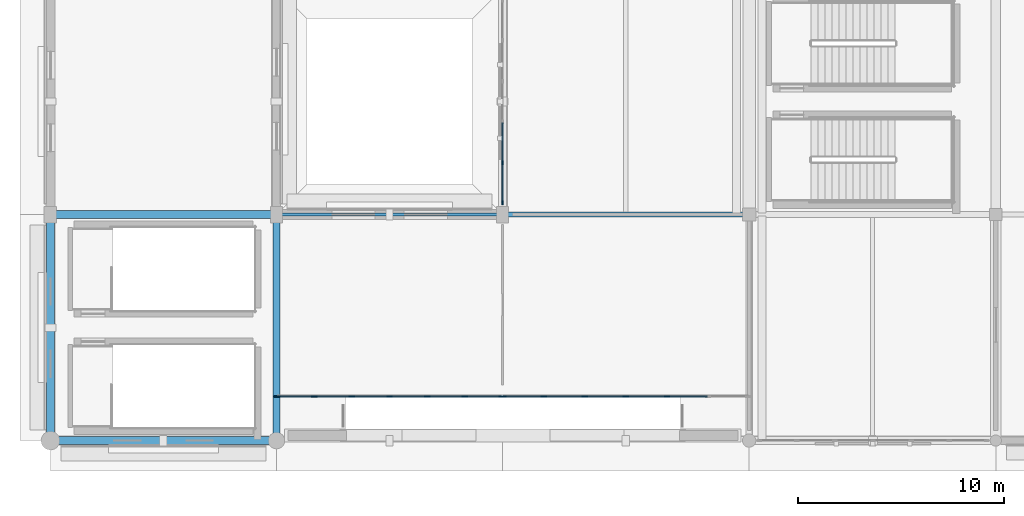
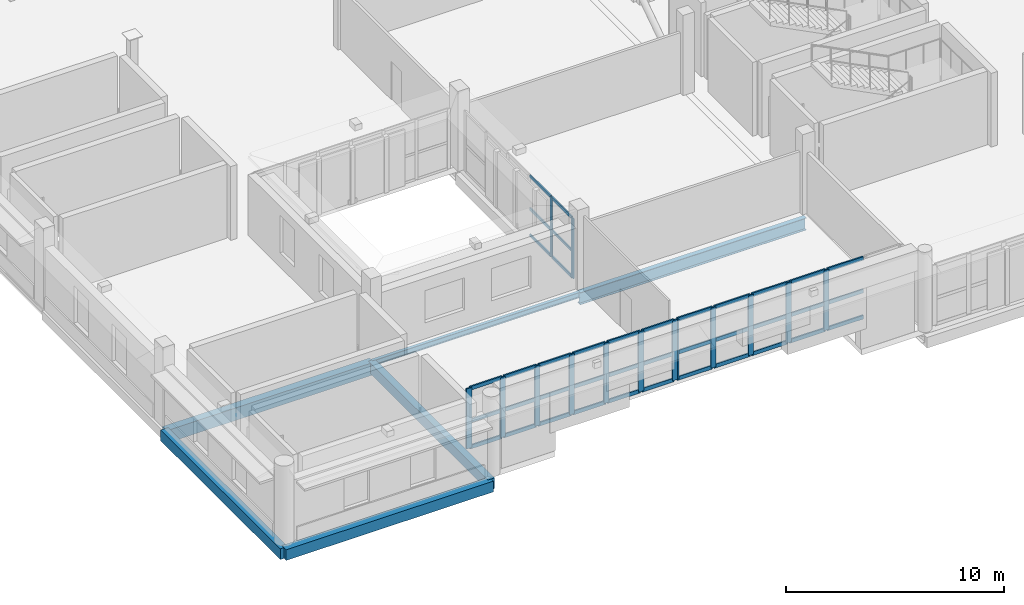
# One storey, part 24 of 118: 53 members, 6 beams, 3 elements without a shape of their own.
"""IFC4 building model written with IfcOpenShell, lengths in metres."""

from ifc_helpers import new_model, si_unit, direction, frame, origin, origin_2d, place, context, subcontext, project, spatial, rectangle, i_section, extrude, material, material_profile, profile_set, type_object, element, aggregate, save


model = new_model("IFC4")

# Units and contexts
model_context = context("Model", 3, precision=1e-05, world=origin(), true_north=direction((0.0, 1.0)))
body_context = subcontext(model_context, "Body", "Model", "MODEL_VIEW")
ifc_project = project(units=[si_unit("LENGTHUNIT", "METRE"), si_unit("AREAUNIT", "SQUARE_METRE"), si_unit("VOLUMEUNIT", "CUBIC_METRE"), si_unit("PLANEANGLEUNIT", "RADIAN"), si_unit("MASSUNIT", "GRAM", prefix="KILO")], contexts=[model_context])

# Site, building, storey
site_placement = place(None, origin())
site = spatial("IfcSite", under=ifc_project, at=site_placement, CompositionType="ELEMENT")
building_placement = place(site_placement, origin())
building = spatial("IfcBuilding", under=site, at=building_placement, Name="Luwafu Chhajja Arena", CompositionType="ELEMENT")
storey_placement = place(building_placement, frame((0.0, 0.0, 10.199951171875)))
storey = spatial("IfcBuildingStorey", under=building, at=storey_placement, Name="L02", CompositionType="ELEMENT", Elevation=10.199951171875)

# Beam
ifc_material_1 = material(Name="Concrete C35/45", Category="concrete")
ifc_material_profile_1 = material_profile(ifc_material_1, rectangle(XDim=0.35009765625, YDim=0.60009765625, at=origin_2d()), Name="RC 350x600")
ifc_profile_set_1 = profile_set([ifc_material_profile_1], Name="Concrete C35/45")
beam_type_1 = type_object("IfcBeamType", Name="Arcade Tie Beam RC 350x600", PredefinedType="BEAM", material=ifc_profile_set_1)
beam_1_placement = place(storey_placement, frame((11.0, 0.0, -0.68994140625), z_axis=(0.0, 1.0, 0.0), x_axis=(-1.0, 0.0, 0.0)))
element("IfcBeam", 1, at=beam_1_placement, inside=storey, type_object=beam_type_1, Name="L02 Grid Beam 2/A-B", PredefinedType="BEAM", context=body_context, shape_type="SweptSolid", body=[
    extrude(rectangle(XDim=0.35009765625, YDim=0.60009765625, at=origin_2d()), origin(), (0.0, 0.0, 1.0), 11.0),
])

# Curtain wall, members
ifc_material_2 = material(Name="Anodised bronze aluminium", Category="aluminium")
curtain_wall_type_1 = type_object("IfcCurtainWallType", Name="Hospitality Ring Curtain Wall", PredefinedType="USERDEFINED", material=ifc_material_2)
curtain_wall_1_placement = place(storey_placement, origin())
curtain_wall_1 = element("IfcCurtainWall", 2, at=curtain_wall_1_placement, inside=storey, type_object=curtain_wall_type_1, Name="L02 Curtain Wall CWG-L02-V02_01", ObjectType="CURTAIN WALL", PredefinedType="USERDEFINED")
ifc_material_profile_2 = material_profile(ifc_material_2, rectangle(XDim=0.06494140625, YDim=0.199951171875, at=origin_2d()), Name="CWM 65x200")
ifc_profile_set_2 = profile_set([ifc_material_profile_2], Name="Anodised bronze aluminium")
member_type_1 = type_object("IfcMemberType", Name="Bronze Curtain Wall Mullion 65x200", PredefinedType="MULLION", material=ifc_profile_set_2)
member_1_placement = place(storey_placement, frame((22.0, 11.572509765625, 0.030029296875), z_axis=(0.0, 0.0, 1.0), x_axis=(-1.0, 0.0, 0.0)))
member_1 = element("IfcMember", 3, at=member_1_placement, type_object=member_type_1, Name="CW-02 mullion 1", PredefinedType="MULLION", context=body_context, shape_type="SweptSolid", body=[
    extrude(rectangle(XDim=0.06494140625, YDim=0.199951171875, at=origin_2d()), origin(), (0.0, 0.0, 1.0), 3.375),
])
member_2_placement = place(storey_placement, frame((22.0, 13.52392578125, 0.030029296875), z_axis=(0.0, 0.0, 1.0), x_axis=(-1.0, 0.0, 0.0)))
member_2 = element("IfcMember", 4, at=member_2_placement, type_object=member_type_1, Name="CW-02 mullion 2", PredefinedType="MULLION", context=body_context, shape_type="SweptSolid", body=[
    extrude(rectangle(XDim=0.06494140625, YDim=0.199951171875, at=origin_2d()), origin(), (0.0, 0.0, 1.0), 3.375),
])
ifc_material_profile_3 = material_profile(ifc_material_2, rectangle(XDim=0.06494140625, YDim=0.14990234375, at=origin_2d()), Name="CWT 65x150")
ifc_profile_set_3 = profile_set([ifc_material_profile_3], Name="Anodised bronze aluminium")
member_type_2 = type_object("IfcMemberType", Name="Bronze Curtain Wall Transom 65x150", PredefinedType="USERDEFINED", material=ifc_profile_set_3)
member_3_placement = place(storey_placement, frame((22.0, 11.60498046875, 0.0625), z_axis=(0.0, 1.0, 0.0), x_axis=(-1.0, 0.0, 0.0)))
member_3 = element("IfcMember", 5, at=member_3_placement, type_object=member_type_2, Name="CW-02 transom 1.1", ObjectType="TRANSOM", PredefinedType="USERDEFINED", context=body_context, shape_type="SweptSolid", body=[
    extrude(rectangle(XDim=0.06494140625, YDim=0.14990234375, at=origin_2d()), origin(), (0.0, 0.0, 1.0), 1.886474609375),
])
member_4_placement = place(storey_placement, frame((22.0, 11.60498046875, 1.532470703125), z_axis=(0.0, 1.0, 0.0), x_axis=(-1.0, 0.0, 0.0)))
member_4 = element("IfcMember", 6, at=member_4_placement, type_object=member_type_2, Name="CW-02 transom 1.2", ObjectType="TRANSOM", PredefinedType="USERDEFINED", context=body_context, shape_type="SweptSolid", body=[
    extrude(rectangle(XDim=0.06494140625, YDim=0.14990234375, at=origin_2d()), origin(), (0.0, 0.0, 1.0), 1.886474609375),
])
member_5_placement = place(storey_placement, frame((22.0, 11.60498046875, 3.37255859375), z_axis=(0.0, 1.0, 0.0), x_axis=(-1.0, 0.0, 0.0)))
member_5 = element("IfcMember", 7, at=member_5_placement, type_object=member_type_2, Name="CW-02 transom 1.3", ObjectType="TRANSOM", PredefinedType="USERDEFINED", context=body_context, shape_type="SweptSolid", body=[
    extrude(rectangle(XDim=0.06494140625, YDim=0.14990234375, at=origin_2d()), origin(), (0.0, 0.0, 1.0), 1.886474609375),
])
member_6_placement = place(storey_placement, frame((22.0, 13.556396484375, 0.0625), z_axis=(0.0, 1.0, 0.0), x_axis=(-1.0, 0.0, 0.0)))
member_6 = element("IfcMember", 8, at=member_6_placement, type_object=member_type_2, Name="CW-02 transom 2.1", ObjectType="TRANSOM", PredefinedType="USERDEFINED", context=body_context, shape_type="SweptSolid", body=[
    extrude(rectangle(XDim=0.06494140625, YDim=0.14990234375, at=origin_2d()), origin(), (0.0, 0.0, 1.0), 1.919189453125),
])
member_7_placement = place(storey_placement, frame((22.0, 13.556396484375, 1.532470703125), z_axis=(0.0, 1.0, 0.0), x_axis=(-1.0, 0.0, 0.0)))
member_7 = element("IfcMember", 9, at=member_7_placement, type_object=member_type_2, Name="CW-02 transom 2.2", ObjectType="TRANSOM", PredefinedType="USERDEFINED", context=body_context, shape_type="SweptSolid", body=[
    extrude(rectangle(XDim=0.06494140625, YDim=0.14990234375, at=origin_2d()), origin(), (0.0, 0.0, 1.0), 1.919189453125),
])
member_8_placement = place(storey_placement, frame((22.0, 13.556396484375, 3.37255859375), z_axis=(0.0, 1.0, 0.0), x_axis=(-1.0, 0.0, 0.0)))
member_8 = element("IfcMember", 10, at=member_8_placement, type_object=member_type_2, Name="CW-02 transom 2.3", ObjectType="TRANSOM", PredefinedType="USERDEFINED", context=body_context, shape_type="SweptSolid", body=[
    extrude(rectangle(XDim=0.06494140625, YDim=0.14990234375, at=origin_2d()), origin(), (0.0, 0.0, 1.0), 1.919189453125),
])
aggregate(curtain_wall_1, [member_1, member_2, member_3, member_4, member_5, member_6, member_7, member_8])

# Beam
ifc_material_3 = material(Name="Steel S355", Category="steel")
ifc_material_profile_4 = material_profile(ifc_material_3, i_section(OverallWidth=0.165771484375, OverallDepth=0.306640625, WebThickness=0.006591796875, FlangeThickness=0.01171875, at=origin_2d()), Name="UB 305x165x46")
ifc_profile_set_4 = profile_set([ifc_material_profile_4], Name="Steel S355")
beam_type_2 = type_object("IfcBeamType", Name="Concourse Edge Spandrel Beam UB 305x165x46", PredefinedType="SPANDREL", material=ifc_profile_set_4)
beam_2_placement = place(storey_placement, frame((11.0, 11.0, -0.543212890625), z_axis=(1.0, 0.0, 0.0), x_axis=(0.0, 1.0, 0.0)))
element("IfcBeam", 11, at=beam_2_placement, inside=storey, type_object=beam_type_2, Name="L02 Grid Beam 2-3/B", PredefinedType="SPANDREL", context=body_context, shape_type="SweptSolid", body=[
    extrude(i_section(OverallWidth=0.165771484375, OverallDepth=0.306640625, WebThickness=0.006591796875, FlangeThickness=0.01171875, at=origin_2d()), origin(), (0.0, 0.0, 1.0), 11.0),
])

# Curtain wall, members
curtain_wall_type_2 = type_object("IfcCurtainWallType", Name="Pishtaq Monumental Portal Curtain Wall", PredefinedType="USERDEFINED", material=ifc_material_2)
curtain_wall_2_placement = place(storey_placement, origin())
curtain_wall_2 = element("IfcCurtainWall", 12, at=curtain_wall_2_placement, inside=storey, type_object=curtain_wall_type_2, Name="L02 Curtain Wall CWG-L02-H01_00", ObjectType="CURTAIN WALL", PredefinedType="USERDEFINED")
ifc_material_profile_5 = material_profile(ifc_material_2, rectangle(XDim=0.080078125, YDim=0.280029296875, at=origin_2d()), Name="CWM 80x280")
ifc_profile_set_5 = profile_set([ifc_material_profile_5], Name="Anodised bronze aluminium")
member_type_3 = type_object("IfcMemberType", Name="Pishtaq Portal Mullion 80x280", PredefinedType="MULLION", material=ifc_profile_set_5)
member_9_placement = place(storey_placement, frame((11.0400390625, 2.14990234375, 0.030029296875), z_axis=(0.0, 0.0, 1.0), x_axis=(0.0, 1.0, 0.0)))
member_9 = element("IfcMember", 13, at=member_9_placement, type_object=member_type_3, Name="CW-04 mullion 1", PredefinedType="MULLION", context=body_context, shape_type="SweptSolid", body=[
    extrude(rectangle(XDim=0.080078125, YDim=0.280029296875, at=origin_2d()), origin(), (0.0, 0.0, 1.0), 3.375),
])
member_10_placement = place(storey_placement, frame((12.833251953125, 2.14990234375, 0.030029296875), z_axis=(0.0, 0.0, 1.0), x_axis=(0.0, 1.0, 0.0)))
member_10 = element("IfcMember", 14, at=member_10_placement, type_object=member_type_3, Name="CW-04 mullion 2", PredefinedType="MULLION", context=body_context, shape_type="SweptSolid", body=[
    extrude(rectangle(XDim=0.080078125, YDim=0.280029296875, at=origin_2d()), origin(), (0.0, 0.0, 1.0), 3.375),
])
member_11_placement = place(storey_placement, frame((14.666748046875, 2.14990234375, 0.030029296875), z_axis=(0.0, 0.0, 1.0), x_axis=(0.0, 1.0, 0.0)))
member_11 = element("IfcMember", 15, at=member_11_placement, type_object=member_type_3, Name="CW-04 mullion 3", PredefinedType="MULLION", context=body_context, shape_type="SweptSolid", body=[
    extrude(rectangle(XDim=0.080078125, YDim=0.280029296875, at=origin_2d()), origin(), (0.0, 0.0, 1.0), 3.375),
])
member_12_placement = place(storey_placement, frame((16.5, 2.14990234375, 0.030029296875), z_axis=(0.0, 0.0, 1.0), x_axis=(0.0, 1.0, 0.0)))
member_12 = element("IfcMember", 16, at=member_12_placement, type_object=member_type_3, Name="CW-04 mullion 4", PredefinedType="MULLION", context=body_context, shape_type="SweptSolid", body=[
    extrude(rectangle(XDim=0.080078125, YDim=0.280029296875, at=origin_2d()), origin(), (0.0, 0.0, 1.0), 3.375),
])
member_13_placement = place(storey_placement, frame((18.333251953125, 2.14990234375, 0.030029296875), z_axis=(0.0, 0.0, 1.0), x_axis=(0.0, 1.0, 0.0)))
member_13 = element("IfcMember", 17, at=member_13_placement, type_object=member_type_3, Name="CW-04 mullion 5", PredefinedType="MULLION", context=body_context, shape_type="SweptSolid", body=[
    extrude(rectangle(XDim=0.080078125, YDim=0.280029296875, at=origin_2d()), origin(), (0.0, 0.0, 1.0), 3.375),
])
member_14_placement = place(storey_placement, frame((20.166748046875, 2.14990234375, 0.030029296875), z_axis=(0.0, 0.0, 1.0), x_axis=(0.0, 1.0, 0.0)))
member_14 = element("IfcMember", 18, at=member_14_placement, type_object=member_type_3, Name="CW-04 mullion 6", PredefinedType="MULLION", context=body_context, shape_type="SweptSolid", body=[
    extrude(rectangle(XDim=0.080078125, YDim=0.280029296875, at=origin_2d()), origin(), (0.0, 0.0, 1.0), 3.375),
])
member_15_placement = place(storey_placement, frame((21.9599609375, 2.14990234375, 0.030029296875), z_axis=(0.0, 0.0, 1.0), x_axis=(0.0, 1.0, 0.0)))
member_15 = element("IfcMember", 19, at=member_15_placement, type_object=member_type_3, Name="CW-04 mullion 7", PredefinedType="MULLION", context=body_context, shape_type="SweptSolid", body=[
    extrude(rectangle(XDim=0.080078125, YDim=0.280029296875, at=origin_2d()), origin(), (0.0, 0.0, 1.0), 3.375),
])

curtain_wall_3_placement = place(storey_placement, origin())
curtain_wall_3 = element("IfcCurtainWall", 20, at=curtain_wall_3_placement, inside=storey, type_object=curtain_wall_type_2, Name="L02 Curtain Wall CWG-L02-H02_00", ObjectType="CURTAIN WALL", PredefinedType="USERDEFINED")
member_16_placement = place(storey_placement, frame((22.0400390625, 2.14990234375, 0.030029296875), z_axis=(0.0, 0.0, 1.0), x_axis=(0.0, 1.0, 0.0)))
member_16 = element("IfcMember", 21, at=member_16_placement, type_object=member_type_3, Name="CW-04 mullion 1", PredefinedType="MULLION", context=body_context, shape_type="SweptSolid", body=[
    extrude(rectangle(XDim=0.080078125, YDim=0.280029296875, at=origin_2d()), origin(), (0.0, 0.0, 1.0), 3.375),
])
member_17_placement = place(storey_placement, frame((24.0, 2.14990234375, 0.030029296875), z_axis=(0.0, 0.0, 1.0), x_axis=(0.0, 1.0, 0.0)))
member_17 = element("IfcMember", 22, at=member_17_placement, type_object=member_type_3, Name="CW-04 mullion 2", PredefinedType="MULLION", context=body_context, shape_type="SweptSolid", body=[
    extrude(rectangle(XDim=0.080078125, YDim=0.280029296875, at=origin_2d()), origin(), (0.0, 0.0, 1.0), 3.375),
])
member_18_placement = place(storey_placement, frame((26.0, 2.14990234375, 0.030029296875), z_axis=(0.0, 0.0, 1.0), x_axis=(0.0, 1.0, 0.0)))
member_18 = element("IfcMember", 23, at=member_18_placement, type_object=member_type_3, Name="CW-04 mullion 3", PredefinedType="MULLION", context=body_context, shape_type="SweptSolid", body=[
    extrude(rectangle(XDim=0.080078125, YDim=0.280029296875, at=origin_2d()), origin(), (0.0, 0.0, 1.0), 3.375),
])
member_19_placement = place(storey_placement, frame((28.0, 2.14990234375, 0.030029296875), z_axis=(0.0, 0.0, 1.0), x_axis=(0.0, 1.0, 0.0)))
member_19 = element("IfcMember", 24, at=member_19_placement, type_object=member_type_3, Name="CW-04 mullion 4", PredefinedType="MULLION", context=body_context, shape_type="SweptSolid", body=[
    extrude(rectangle(XDim=0.080078125, YDim=0.280029296875, at=origin_2d()), origin(), (0.0, 0.0, 1.0), 3.375),
])
member_20_placement = place(storey_placement, frame((30.0, 2.14990234375, 0.030029296875), z_axis=(0.0, 0.0, 1.0), x_axis=(0.0, 1.0, 0.0)))
member_20 = element("IfcMember", 25, at=member_20_placement, type_object=member_type_3, Name="CW-04 mullion 5", PredefinedType="MULLION", context=body_context, shape_type="SweptSolid", body=[
    extrude(rectangle(XDim=0.080078125, YDim=0.280029296875, at=origin_2d()), origin(), (0.0, 0.0, 1.0), 3.375),
])

# Member
ifc_material_profile_6 = material_profile(ifc_material_2, rectangle(XDim=0.080078125, YDim=0.2099609375, at=origin_2d()), Name="CWT 80x210")
ifc_profile_set_6 = profile_set([ifc_material_profile_6], Name="Anodised bronze aluminium")
member_type_4 = type_object("IfcMemberType", Name="Pishtaq Portal Transom 80x210", PredefinedType="USERDEFINED", material=ifc_profile_set_6)
member_21_placement = place(storey_placement, frame((11.080078125, 2.14990234375, 0.070068359375), z_axis=(1.0, 0.0, 0.0), x_axis=(0.0, 1.0, 0.0)))
member_21 = element("IfcMember", 26, at=member_21_placement, type_object=member_type_4, Name="CW-04 transom 1.1", ObjectType="TRANSOM", PredefinedType="USERDEFINED", context=body_context, shape_type="SweptSolid", body=[
    extrude(rectangle(XDim=0.080078125, YDim=0.2099609375, at=origin_2d()), origin(), (0.0, 0.0, 1.0), 1.713134765625),
])

member_22_placement = place(storey_placement, frame((11.080078125, 2.14990234375, 1.532470703125), z_axis=(1.0, 0.0, 0.0), x_axis=(0.0, 1.0, 0.0)))
member_22 = element("IfcMember", 27, at=member_22_placement, type_object=member_type_4, Name="CW-04 transom 1.2", ObjectType="TRANSOM", PredefinedType="USERDEFINED", context=body_context, shape_type="SweptSolid", body=[
    extrude(rectangle(XDim=0.080078125, YDim=0.2099609375, at=origin_2d()), origin(), (0.0, 0.0, 1.0), 1.713134765625),
])

member_23_placement = place(storey_placement, frame((11.080078125, 2.14990234375, 3.364990234375), z_axis=(1.0, 0.0, 0.0), x_axis=(0.0, 1.0, 0.0)))
member_23 = element("IfcMember", 28, at=member_23_placement, type_object=member_type_4, Name="CW-04 transom 1.3", ObjectType="TRANSOM", PredefinedType="USERDEFINED", context=body_context, shape_type="SweptSolid", body=[
    extrude(rectangle(XDim=0.080078125, YDim=0.2099609375, at=origin_2d()), origin(), (0.0, 0.0, 1.0), 1.713134765625),
])

member_24_placement = place(storey_placement, frame((12.873291015625, 2.14990234375, 0.070068359375), z_axis=(1.0, 0.0, 0.0), x_axis=(0.0, 1.0, 0.0)))
member_24 = element("IfcMember", 29, at=member_24_placement, type_object=member_type_4, Name="CW-04 transom 2.1", ObjectType="TRANSOM", PredefinedType="USERDEFINED", context=body_context, shape_type="SweptSolid", body=[
    extrude(rectangle(XDim=0.080078125, YDim=0.2099609375, at=origin_2d()), origin(), (0.0, 0.0, 1.0), 1.75341796875),
])

member_25_placement = place(storey_placement, frame((12.873291015625, 2.14990234375, 1.532470703125), z_axis=(1.0, 0.0, 0.0), x_axis=(0.0, 1.0, 0.0)))
member_25 = element("IfcMember", 30, at=member_25_placement, type_object=member_type_4, Name="CW-04 transom 2.2", ObjectType="TRANSOM", PredefinedType="USERDEFINED", context=body_context, shape_type="SweptSolid", body=[
    extrude(rectangle(XDim=0.080078125, YDim=0.2099609375, at=origin_2d()), origin(), (0.0, 0.0, 1.0), 1.75341796875),
])

member_26_placement = place(storey_placement, frame((12.873291015625, 2.14990234375, 3.364990234375), z_axis=(1.0, 0.0, 0.0), x_axis=(0.0, 1.0, 0.0)))
member_26 = element("IfcMember", 31, at=member_26_placement, type_object=member_type_4, Name="CW-04 transom 2.3", ObjectType="TRANSOM", PredefinedType="USERDEFINED", context=body_context, shape_type="SweptSolid", body=[
    extrude(rectangle(XDim=0.080078125, YDim=0.2099609375, at=origin_2d()), origin(), (0.0, 0.0, 1.0), 1.75341796875),
])

member_27_placement = place(storey_placement, frame((14.706787109375, 2.14990234375, 0.070068359375), z_axis=(1.0, 0.0, 0.0), x_axis=(0.0, 1.0, 0.0)))
member_27 = element("IfcMember", 32, at=member_27_placement, type_object=member_type_4, Name="CW-04 transom 3.1", ObjectType="TRANSOM", PredefinedType="USERDEFINED", context=body_context, shape_type="SweptSolid", body=[
    extrude(rectangle(XDim=0.080078125, YDim=0.2099609375, at=origin_2d()), origin(), (0.0, 0.0, 1.0), 1.753173828125),
])

member_28_placement = place(storey_placement, frame((14.706787109375, 2.14990234375, 1.532470703125), z_axis=(1.0, 0.0, 0.0), x_axis=(0.0, 1.0, 0.0)))
member_28 = element("IfcMember", 33, at=member_28_placement, type_object=member_type_4, Name="CW-04 transom 3.2", ObjectType="TRANSOM", PredefinedType="USERDEFINED", context=body_context, shape_type="SweptSolid", body=[
    extrude(rectangle(XDim=0.080078125, YDim=0.2099609375, at=origin_2d()), origin(), (0.0, 0.0, 1.0), 1.753173828125),
])

member_29_placement = place(storey_placement, frame((14.706787109375, 2.14990234375, 3.364990234375), z_axis=(1.0, 0.0, 0.0), x_axis=(0.0, 1.0, 0.0)))
member_29 = element("IfcMember", 34, at=member_29_placement, type_object=member_type_4, Name="CW-04 transom 3.3", ObjectType="TRANSOM", PredefinedType="USERDEFINED", context=body_context, shape_type="SweptSolid", body=[
    extrude(rectangle(XDim=0.080078125, YDim=0.2099609375, at=origin_2d()), origin(), (0.0, 0.0, 1.0), 1.753173828125),
])

member_30_placement = place(storey_placement, frame((16.5400390625, 2.14990234375, 0.070068359375), z_axis=(1.0, 0.0, 0.0), x_axis=(0.0, 1.0, 0.0)))
member_30 = element("IfcMember", 35, at=member_30_placement, type_object=member_type_4, Name="CW-04 transom 4.1", ObjectType="TRANSOM", PredefinedType="USERDEFINED", context=body_context, shape_type="SweptSolid", body=[
    extrude(rectangle(XDim=0.080078125, YDim=0.2099609375, at=origin_2d()), origin(), (0.0, 0.0, 1.0), 1.753173828125),
])

member_31_placement = place(storey_placement, frame((16.5400390625, 2.14990234375, 1.532470703125), z_axis=(1.0, 0.0, 0.0), x_axis=(0.0, 1.0, 0.0)))
member_31 = element("IfcMember", 36, at=member_31_placement, type_object=member_type_4, Name="CW-04 transom 4.2", ObjectType="TRANSOM", PredefinedType="USERDEFINED", context=body_context, shape_type="SweptSolid", body=[
    extrude(rectangle(XDim=0.080078125, YDim=0.2099609375, at=origin_2d()), origin(), (0.0, 0.0, 1.0), 1.753173828125),
])

member_32_placement = place(storey_placement, frame((16.5400390625, 2.14990234375, 3.364990234375), z_axis=(1.0, 0.0, 0.0), x_axis=(0.0, 1.0, 0.0)))
member_32 = element("IfcMember", 37, at=member_32_placement, type_object=member_type_4, Name="CW-04 transom 4.3", ObjectType="TRANSOM", PredefinedType="USERDEFINED", context=body_context, shape_type="SweptSolid", body=[
    extrude(rectangle(XDim=0.080078125, YDim=0.2099609375, at=origin_2d()), origin(), (0.0, 0.0, 1.0), 1.753173828125),
])

member_33_placement = place(storey_placement, frame((18.373291015625, 2.14990234375, 0.070068359375), z_axis=(1.0, 0.0, 0.0), x_axis=(0.0, 1.0, 0.0)))
member_33 = element("IfcMember", 38, at=member_33_placement, type_object=member_type_4, Name="CW-04 transom 5.1", ObjectType="TRANSOM", PredefinedType="USERDEFINED", context=body_context, shape_type="SweptSolid", body=[
    extrude(rectangle(XDim=0.080078125, YDim=0.2099609375, at=origin_2d()), origin(), (0.0, 0.0, 1.0), 1.75341796875),
])

member_34_placement = place(storey_placement, frame((18.373291015625, 2.14990234375, 1.532470703125), z_axis=(1.0, 0.0, 0.0), x_axis=(0.0, 1.0, 0.0)))
member_34 = element("IfcMember", 39, at=member_34_placement, type_object=member_type_4, Name="CW-04 transom 5.2", ObjectType="TRANSOM", PredefinedType="USERDEFINED", context=body_context, shape_type="SweptSolid", body=[
    extrude(rectangle(XDim=0.080078125, YDim=0.2099609375, at=origin_2d()), origin(), (0.0, 0.0, 1.0), 1.75341796875),
])

member_35_placement = place(storey_placement, frame((18.373291015625, 2.14990234375, 3.364990234375), z_axis=(1.0, 0.0, 0.0), x_axis=(0.0, 1.0, 0.0)))
member_35 = element("IfcMember", 40, at=member_35_placement, type_object=member_type_4, Name="CW-04 transom 5.3", ObjectType="TRANSOM", PredefinedType="USERDEFINED", context=body_context, shape_type="SweptSolid", body=[
    extrude(rectangle(XDim=0.080078125, YDim=0.2099609375, at=origin_2d()), origin(), (0.0, 0.0, 1.0), 1.75341796875),
])

member_36_placement = place(storey_placement, frame((20.206787109375, 2.14990234375, 0.070068359375), z_axis=(1.0, 0.0, 0.0), x_axis=(0.0, 1.0, 0.0)))
member_36 = element("IfcMember", 41, at=member_36_placement, type_object=member_type_4, Name="CW-04 transom 6.1", ObjectType="TRANSOM", PredefinedType="USERDEFINED", context=body_context, shape_type="SweptSolid", body=[
    extrude(rectangle(XDim=0.080078125, YDim=0.2099609375, at=origin_2d()), origin(), (0.0, 0.0, 1.0), 1.713134765625),
])

member_37_placement = place(storey_placement, frame((20.206787109375, 2.14990234375, 1.532470703125), z_axis=(1.0, 0.0, 0.0), x_axis=(0.0, 1.0, 0.0)))
member_37 = element("IfcMember", 42, at=member_37_placement, type_object=member_type_4, Name="CW-04 transom 6.2", ObjectType="TRANSOM", PredefinedType="USERDEFINED", context=body_context, shape_type="SweptSolid", body=[
    extrude(rectangle(XDim=0.080078125, YDim=0.2099609375, at=origin_2d()), origin(), (0.0, 0.0, 1.0), 1.713134765625),
])

member_38_placement = place(storey_placement, frame((20.206787109375, 2.14990234375, 3.364990234375), z_axis=(1.0, 0.0, 0.0), x_axis=(0.0, 1.0, 0.0)))
member_38 = element("IfcMember", 43, at=member_38_placement, type_object=member_type_4, Name="CW-04 transom 6.3", ObjectType="TRANSOM", PredefinedType="USERDEFINED", context=body_context, shape_type="SweptSolid", body=[
    extrude(rectangle(XDim=0.080078125, YDim=0.2099609375, at=origin_2d()), origin(), (0.0, 0.0, 1.0), 1.713134765625),
])

aggregate(curtain_wall_2, [member_9, member_10, member_11, member_12, member_13, member_14, member_15, member_21, member_22, member_23, member_24, member_25, member_26, member_27, member_28, member_29, member_30, member_31, member_32, member_33, member_34, member_35, member_36, member_37, member_38])

member_39_placement = place(storey_placement, frame((22.080078125, 2.14990234375, 0.070068359375), z_axis=(1.0, 0.0, 0.0), x_axis=(0.0, 1.0, 0.0)))
member_39 = element("IfcMember", 44, at=member_39_placement, type_object=member_type_4, Name="CW-04 transom 1.1", ObjectType="TRANSOM", PredefinedType="USERDEFINED", context=body_context, shape_type="SweptSolid", body=[
    extrude(rectangle(XDim=0.080078125, YDim=0.2099609375, at=origin_2d()), origin(), (0.0, 0.0, 1.0), 1.8798828125),
])

member_40_placement = place(storey_placement, frame((22.080078125, 2.14990234375, 1.532470703125), z_axis=(1.0, 0.0, 0.0), x_axis=(0.0, 1.0, 0.0)))
member_40 = element("IfcMember", 45, at=member_40_placement, type_object=member_type_4, Name="CW-04 transom 1.2", ObjectType="TRANSOM", PredefinedType="USERDEFINED", context=body_context, shape_type="SweptSolid", body=[
    extrude(rectangle(XDim=0.080078125, YDim=0.2099609375, at=origin_2d()), origin(), (0.0, 0.0, 1.0), 1.8798828125),
])

member_41_placement = place(storey_placement, frame((22.080078125, 2.14990234375, 3.364990234375), z_axis=(1.0, 0.0, 0.0), x_axis=(0.0, 1.0, 0.0)))
member_41 = element("IfcMember", 46, at=member_41_placement, type_object=member_type_4, Name="CW-04 transom 1.3", ObjectType="TRANSOM", PredefinedType="USERDEFINED", context=body_context, shape_type="SweptSolid", body=[
    extrude(rectangle(XDim=0.080078125, YDim=0.2099609375, at=origin_2d()), origin(), (0.0, 0.0, 1.0), 1.8798828125),
])

member_42_placement = place(storey_placement, frame((24.0400390625, 2.14990234375, 0.070068359375), z_axis=(1.0, 0.0, 0.0), x_axis=(0.0, 1.0, 0.0)))
member_42 = element("IfcMember", 47, at=member_42_placement, type_object=member_type_4, Name="CW-04 transom 2.1", ObjectType="TRANSOM", PredefinedType="USERDEFINED", context=body_context, shape_type="SweptSolid", body=[
    extrude(rectangle(XDim=0.080078125, YDim=0.2099609375, at=origin_2d()), origin(), (0.0, 0.0, 1.0), 1.919921875),
])

member_43_placement = place(storey_placement, frame((24.0400390625, 2.14990234375, 1.532470703125), z_axis=(1.0, 0.0, 0.0), x_axis=(0.0, 1.0, 0.0)))
member_43 = element("IfcMember", 48, at=member_43_placement, type_object=member_type_4, Name="CW-04 transom 2.2", ObjectType="TRANSOM", PredefinedType="USERDEFINED", context=body_context, shape_type="SweptSolid", body=[
    extrude(rectangle(XDim=0.080078125, YDim=0.2099609375, at=origin_2d()), origin(), (0.0, 0.0, 1.0), 1.919921875),
])

member_44_placement = place(storey_placement, frame((24.0400390625, 2.14990234375, 3.364990234375), z_axis=(1.0, 0.0, 0.0), x_axis=(0.0, 1.0, 0.0)))
member_44 = element("IfcMember", 49, at=member_44_placement, type_object=member_type_4, Name="CW-04 transom 2.3", ObjectType="TRANSOM", PredefinedType="USERDEFINED", context=body_context, shape_type="SweptSolid", body=[
    extrude(rectangle(XDim=0.080078125, YDim=0.2099609375, at=origin_2d()), origin(), (0.0, 0.0, 1.0), 1.919921875),
])

member_45_placement = place(storey_placement, frame((26.0400390625, 2.14990234375, 0.070068359375), z_axis=(1.0, 0.0, 0.0), x_axis=(0.0, 1.0, 0.0)))
member_45 = element("IfcMember", 50, at=member_45_placement, type_object=member_type_4, Name="CW-04 transom 3.1", ObjectType="TRANSOM", PredefinedType="USERDEFINED", context=body_context, shape_type="SweptSolid", body=[
    extrude(rectangle(XDim=0.080078125, YDim=0.2099609375, at=origin_2d()), origin(), (0.0, 0.0, 1.0), 1.919921875),
])

member_46_placement = place(storey_placement, frame((26.0400390625, 2.14990234375, 1.532470703125), z_axis=(1.0, 0.0, 0.0), x_axis=(0.0, 1.0, 0.0)))
member_46 = element("IfcMember", 51, at=member_46_placement, type_object=member_type_4, Name="CW-04 transom 3.2", ObjectType="TRANSOM", PredefinedType="USERDEFINED", context=body_context, shape_type="SweptSolid", body=[
    extrude(rectangle(XDim=0.080078125, YDim=0.2099609375, at=origin_2d()), origin(), (0.0, 0.0, 1.0), 1.919921875),
])

member_47_placement = place(storey_placement, frame((26.0400390625, 2.14990234375, 3.364990234375), z_axis=(1.0, 0.0, 0.0), x_axis=(0.0, 1.0, 0.0)))
member_47 = element("IfcMember", 52, at=member_47_placement, type_object=member_type_4, Name="CW-04 transom 3.3", ObjectType="TRANSOM", PredefinedType="USERDEFINED", context=body_context, shape_type="SweptSolid", body=[
    extrude(rectangle(XDim=0.080078125, YDim=0.2099609375, at=origin_2d()), origin(), (0.0, 0.0, 1.0), 1.919921875),
])

member_48_placement = place(storey_placement, frame((28.0400390625, 2.14990234375, 0.070068359375), z_axis=(1.0, 0.0, 0.0), x_axis=(0.0, 1.0, 0.0)))
member_48 = element("IfcMember", 53, at=member_48_placement, type_object=member_type_4, Name="CW-04 transom 4.1", ObjectType="TRANSOM", PredefinedType="USERDEFINED", context=body_context, shape_type="SweptSolid", body=[
    extrude(rectangle(XDim=0.080078125, YDim=0.2099609375, at=origin_2d()), origin(), (0.0, 0.0, 1.0), 1.919921875),
])

member_49_placement = place(storey_placement, frame((28.0400390625, 2.14990234375, 1.532470703125), z_axis=(1.0, 0.0, 0.0), x_axis=(0.0, 1.0, 0.0)))
member_49 = element("IfcMember", 54, at=member_49_placement, type_object=member_type_4, Name="CW-04 transom 4.2", ObjectType="TRANSOM", PredefinedType="USERDEFINED", context=body_context, shape_type="SweptSolid", body=[
    extrude(rectangle(XDim=0.080078125, YDim=0.2099609375, at=origin_2d()), origin(), (0.0, 0.0, 1.0), 1.919921875),
])

member_50_placement = place(storey_placement, frame((28.0400390625, 2.14990234375, 3.364990234375), z_axis=(1.0, 0.0, 0.0), x_axis=(0.0, 1.0, 0.0)))
member_50 = element("IfcMember", 55, at=member_50_placement, type_object=member_type_4, Name="CW-04 transom 4.3", ObjectType="TRANSOM", PredefinedType="USERDEFINED", context=body_context, shape_type="SweptSolid", body=[
    extrude(rectangle(XDim=0.080078125, YDim=0.2099609375, at=origin_2d()), origin(), (0.0, 0.0, 1.0), 1.919921875),
])

member_51_placement = place(storey_placement, frame((30.0400390625, 2.14990234375, 0.070068359375), z_axis=(1.0, 0.0, 0.0), x_axis=(0.0, 1.0, 0.0)))
member_51 = element("IfcMember", 56, at=member_51_placement, type_object=member_type_4, Name="CW-04 transom 5.1", ObjectType="TRANSOM", PredefinedType="USERDEFINED", context=body_context, shape_type="SweptSolid", body=[
    extrude(rectangle(XDim=0.080078125, YDim=0.2099609375, at=origin_2d()), origin(), (0.0, 0.0, 1.0), 1.919921875),
])

member_52_placement = place(storey_placement, frame((30.0400390625, 2.14990234375, 1.532470703125), z_axis=(1.0, 0.0, 0.0), x_axis=(0.0, 1.0, 0.0)))
member_52 = element("IfcMember", 57, at=member_52_placement, type_object=member_type_4, Name="CW-04 transom 5.2", ObjectType="TRANSOM", PredefinedType="USERDEFINED", context=body_context, shape_type="SweptSolid", body=[
    extrude(rectangle(XDim=0.080078125, YDim=0.2099609375, at=origin_2d()), origin(), (0.0, 0.0, 1.0), 1.919921875),
])

member_53_placement = place(storey_placement, frame((30.0400390625, 2.14990234375, 3.364990234375), z_axis=(1.0, 0.0, 0.0), x_axis=(0.0, 1.0, 0.0)))
member_53 = element("IfcMember", 58, at=member_53_placement, type_object=member_type_4, Name="CW-04 transom 5.3", ObjectType="TRANSOM", PredefinedType="USERDEFINED", context=body_context, shape_type="SweptSolid", body=[
    extrude(rectangle(XDim=0.080078125, YDim=0.2099609375, at=origin_2d()), origin(), (0.0, 0.0, 1.0), 1.919921875),
])

aggregate(curtain_wall_3, [member_16, member_17, member_18, member_19, member_20, member_39, member_40, member_41, member_42, member_43, member_44, member_45, member_46, member_47, member_48, member_49, member_50, member_51, member_52, member_53])

# Beams
ifc_material_profile_7 = material_profile(ifc_material_1, rectangle(XDim=0.39990234375, YDim=0.60009765625, at=origin_2d()), Name="RC 400x600")
ifc_profile_set_7 = profile_set([ifc_material_profile_7], Name="Concrete C35/45")
beam_type_3 = type_object("IfcBeamType", Name="Podium Perimeter Spandrel RC 400x600", PredefinedType="SPANDREL", material=ifc_profile_set_7)
for number, where, z_axis, x_axis, name in (
    (59, (0.0, 0.0, -0.68994140625), (1.0, 0.0, 0.0), (0.0, 1.0, 0.0), "L02 Grid Beam 1-2/A"),
    (60, (0.0, 0.0, -0.68994140625), (0.0, 1.0, 0.0), (-1.0, 0.0, 0.0), "L02 Grid Beam 1/A-B"),
):
    element("IfcBeam", number, at=place(storey_placement, frame(where, z_axis=z_axis, x_axis=x_axis)), inside=storey, type_object=beam_type_3, Name=name, PredefinedType="SPANDREL", context=body_context, shape_type="SweptSolid", body=[
        extrude(rectangle(XDim=0.39990234375, YDim=0.60009765625, at=origin_2d()), origin(), (0.0, 0.0, 1.0), 11.0),
    ])
ifc_material_profile_8 = material_profile(ifc_material_3, i_section(OverallWidth=0.253662109375, OverallDepth=0.68359375, WebThickness=0.012451171875, FlangeThickness=0.01904296875, at=origin_2d()), Name="UB 686x254x140")
ifc_profile_set_8 = profile_set([ifc_material_profile_8], Name="Steel S355")
beam_type_4 = type_object("IfcBeamType", Name="Steel Concourse Girder UB 686x254x140", PredefinedType="BEAM", material=ifc_profile_set_8)
beam_3_placement = place(storey_placement, frame((22.0, 11.0, -0.731689453125), z_axis=(1.0, 0.0, 0.0), x_axis=(0.0, 1.0, 0.0)))
element("IfcBeam", 61, at=beam_3_placement, inside=storey, type_object=beam_type_4, Name="L02 Grid Beam 3-4/B", PredefinedType="BEAM", context=body_context, shape_type="SweptSolid", body=[
    extrude(i_section(OverallWidth=0.253662109375, OverallDepth=0.68359375, WebThickness=0.012451171875, FlangeThickness=0.01904296875, at=origin_2d()), origin(), (0.0, 0.0, 1.0), 12.0),
])
ifc_material_profile_9 = material_profile(ifc_material_1, rectangle(XDim=0.39990234375, YDim=0.699951171875, at=origin_2d()), Name="RC 400x700")
ifc_profile_set_9 = profile_set([ifc_material_profile_9], Name="Concrete C35/45")
beam_type_5 = type_object("IfcBeamType", Name="Wing Frame Beam RC 400x700", PredefinedType="BEAM", material=ifc_profile_set_9)
beam_4_placement = place(storey_placement, frame((0.0, 11.0, -0.739990234375), z_axis=(1.0, 0.0, 0.0), x_axis=(0.0, 1.0, 0.0)))
element("IfcBeam", 62, at=beam_4_placement, inside=storey, type_object=beam_type_5, Name="L02 Grid Beam 1-2/B", PredefinedType="BEAM", context=body_context, shape_type="SweptSolid", body=[
    extrude(rectangle(XDim=0.39990234375, YDim=0.699951171875, at=origin_2d()), origin(), (0.0, 0.0, 1.0), 11.0),
])

save(model, "model.ifc")
